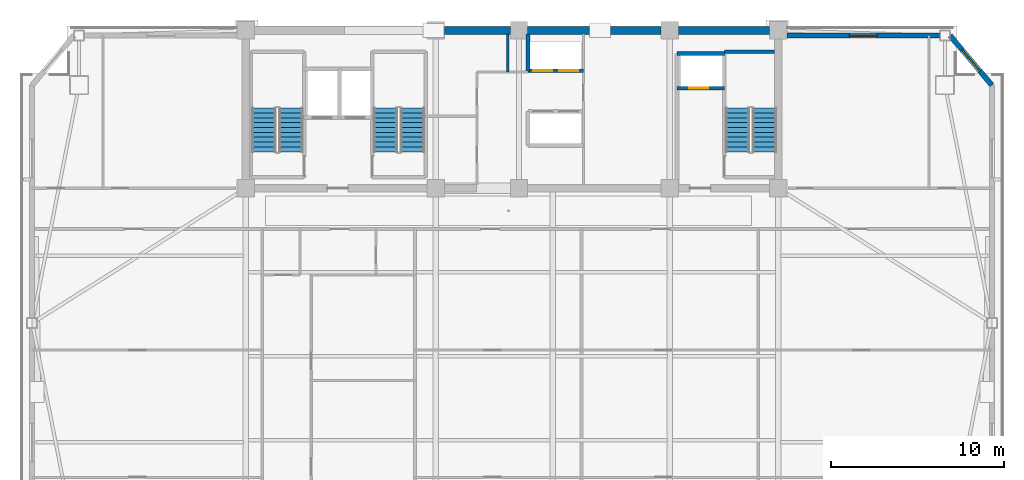
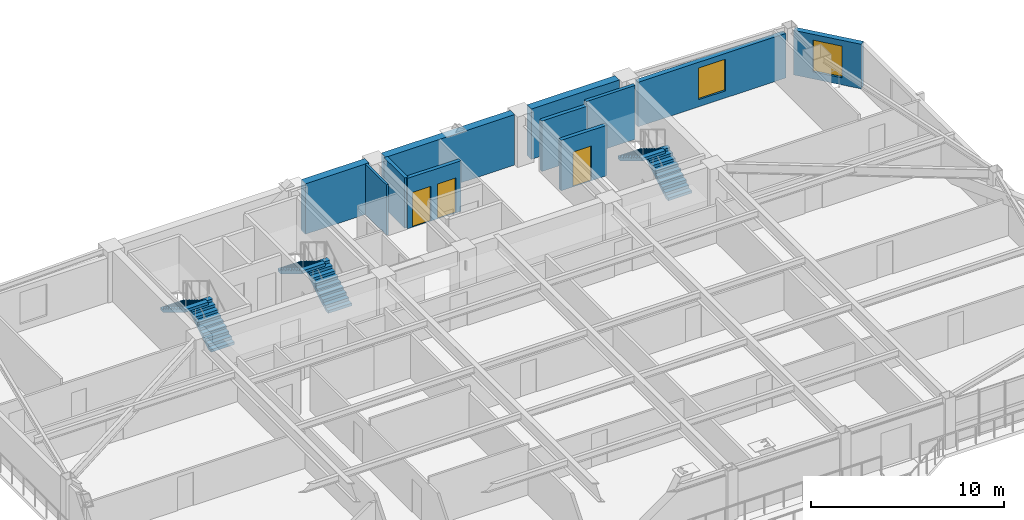
# One storey, part 11 of 16: 11 walls, 6 stair flights, 3 doors, 2 windows, 5 openings, 3 elements without a shape of their own.
"""IFC4 building model written with IfcOpenShell, lengths in metres."""

from ifc_helpers import new_model, si_unit, direction, frame, frame_2d, origin, place, context, subcontext, project, spatial, polyline, rectangle, outline, extrude, source, transform, mapped, material, layer, layer_set, type_object, element, fill, aggregate, save


model = new_model("IFC4")

# Units and contexts
model_context = context("Model", 3, precision=1e-05, world=origin(), true_north=direction((0.0, 1.0)))
body_context = subcontext(model_context, "Body", "Model", "MODEL_VIEW")
ifc_project = project(units=[si_unit("LENGTHUNIT", "METRE"), si_unit("AREAUNIT", "SQUARE_METRE"), si_unit("VOLUMEUNIT", "CUBIC_METRE"), si_unit("PLANEANGLEUNIT", "RADIAN"), si_unit("MASSUNIT", "GRAM", prefix="KILO")], contexts=[model_context])

# Site, building, storey
site_placement = place(None, origin())
site = spatial("IfcSite", under=ifc_project, at=site_placement, CompositionType="ELEMENT")
building_placement = place(site_placement, origin())
building = spatial("IfcBuilding", under=site, at=building_placement, Name="Giltprow Tower", CompositionType="ELEMENT")
storey_placement = place(building_placement, frame((0.0, 0.0, 230.39990234375)))
storey = spatial("IfcBuildingStorey", under=building, at=storey_placement, Name="L58", CompositionType="ELEMENT", Elevation=230.39990234375)

# Wall, opening, window
ifc_material_1 = material(Name="Precast concrete C40", Category="concrete")
ifc_layer_1 = layer(ifc_material_1, 0.300048828125, Name="Precast concrete C40")
ifc_layer_set_1 = layer_set([ifc_layer_1], Name="Precast concrete C40")
wall_type_1 = type_object("IfcWallType", Name="EW-NOTCH-CHAMFER-300", PredefinedType="SOLIDWALL", material=ifc_layer_set_1)
wall_1_placement = place(storey_placement, frame((62.866943359375, 43.39306640625, 0.0), z_axis=(0.0, 0.0, 1.0), x_axis=(-0.644314839722, 0.764760346326, 0.0)))
wall_1 = element("IfcWall", 1, at=wall_1_placement, inside=storey, type_object=wall_type_1, Name="L58 Corner Notch Wall NE", PredefinedType="SOLIDWALL", context=body_context, shape_type="SweptSolid", body=[
    extrude(rectangle(XDim=3.73583984375, YDim=0.300048828125, at=frame_2d((1.867919921875, 0.0))), origin(), (0.0, 0.0, 1.0), 2.815185546875),
])
opening_1_placement = place(wall_1_placement, frame((1.068115234375, 0.0, 0.449951171875)))
opening_1 = element("IfcOpeningElement", 2, at=opening_1_placement, cuts=wall_1, Name="Opening WN17", PredefinedType="OPENING", context=body_context, shape_type="SweptSolid", body=[
    extrude(rectangle(XDim=1.60009765625, YDim=2.0, at=frame_2d((0.800048828125, 1.0))), frame((0.0, 0.159912109375, 0.0), z_axis=(0.0, -1.0, 0.0), x_axis=(1.0, 0.0, 0.0)), (0.0, 0.0, 1.0), 0.320068359375),
])
ifc_material_2 = material(Name="Insulated glass", Category="glass")
window_type = type_object("IfcWindowType", Name="WN-COR-1600x2000", PartitioningType="SINGLE_PANEL", PredefinedType="WINDOW", material=ifc_material_2)
shared_shape_1 = source(origin(), body_context, "Body", "SweptSolid", [
    extrude(rectangle(XDim=1.60009765625, YDim=2.0, at=frame_2d((0.800048828125, 1.0))), frame((0.0, 0.030029296875, 0.0), z_axis=(0.0, -1.0, 0.0), x_axis=(1.0, 0.0, 0.0)), (0.0, 0.0, 1.0), 0.06005859375),
])
window_1_placement = place(opening_1_placement, origin())
window_1 = element("IfcWindow", 3, at=window_1_placement, inside=storey, type_object=window_type, Name="L58 Corner Notch Window NE", OverallHeight=2.0, OverallWidth=1.60009765625, PartitioningType="SINGLE_PANEL", PredefinedType="WINDOW", context=body_context, shape_type="MappedRepresentation", body=[
    mapped(shared_shape_1, transform((0.0, 0.0, 0.0), x_axis=(1.0, 0.0, 0.0), y_axis=(0.0, 1.0, 0.0), z_axis=(0.0, 0.0, 1.0), scale=1.0)),
])
fill(opening_1, window_1)

ifc_layer_2 = layer(ifc_material_1, 0.280029296875, Name="Precast concrete C40")
ifc_layer_set_2 = layer_set([ifc_layer_2], Name="Precast concrete C40")
wall_type_2 = type_object("IfcWallType", Name="EW-TOW-BRONZE-280", PredefinedType="SOLIDWALL", material=ifc_layer_set_2)
wall_2_placement = place(storey_placement, frame((51.050048828125, 46.25, 0.0), z_axis=(0.0, 0.0, 1.0), x_axis=(1.0, 0.0, 0.0)))
wall_2 = element("IfcWall", 4, at=wall_2_placement, inside=storey, type_object=wall_type_2, Name="L58 North-East Wing Wall", PredefinedType="SOLIDWALL", context=body_context, shape_type="SweptSolid", body=[
    extrude(rectangle(XDim=8.81005859375, YDim=0.280029296875, at=frame_2d((4.405029296875, 0.0))), origin(), (0.0, 0.0, 1.0), 2.815185546875),
])
opening_2_placement = place(wall_2_placement, frame((3.60498046875, 0.0, 0.449951171875)))
opening_2 = element("IfcOpeningElement", 5, at=opening_2_placement, cuts=wall_2, Name="Opening WN17", PredefinedType="OPENING", context=body_context, shape_type="SweptSolid", body=[
    extrude(rectangle(XDim=1.60009765625, YDim=2.0, at=frame_2d((0.800048828125, 1.0))), frame((0.0, 0.14990234375, 0.0), z_axis=(0.0, -1.0, 0.0), x_axis=(1.0, 0.0, 0.0)), (0.0, 0.0, 1.0), 0.300048828125),
])
window_2_placement = place(opening_2_placement, origin())
window_2 = element("IfcWindow", 6, at=window_2_placement, inside=storey, type_object=window_type, Name="L58 North-East Window", OverallHeight=2.0, OverallWidth=1.60009765625, PartitioningType="SINGLE_PANEL", PredefinedType="WINDOW", context=body_context, shape_type="MappedRepresentation", body=[
    mapped(shared_shape_1, transform((0.0, 0.0, 0.0), x_axis=(1.0, 0.0, 0.0), y_axis=(0.0, 1.0, 0.0), z_axis=(0.0, 0.0, 1.0), scale=1.0)),
])
fill(opening_2, window_2)

# Wall, opening, door
ifc_material_3 = material(Name="Concrete C40", Category="concrete")
ifc_layer_3 = layer(ifc_material_3, 0.219970703125, Name="Concrete C40")
ifc_layer_set_3 = layer_set([ifc_layer_3], Name="Concrete C40")
wall_type_3 = type_object("IfcWallType", Name="IW-SHAFT-220", PredefinedType="SOLIDWALL", material=ifc_layer_set_3)
wall_3_placement = place(storey_placement, frame((44.719970703125, 43.219970703125, 0.0), z_axis=(0.0, 0.0, 1.0), x_axis=(1.0, 0.0, 0.0)))
wall_3 = element("IfcWall", 7, at=wall_3_placement, inside=storey, type_object=wall_type_3, Name="L58 FFL2 Front Shaft Wall", PredefinedType="SOLIDWALL", context=body_context, shape_type="SweptSolid", body=[
    extrude(rectangle(XDim=2.719970703125, YDim=0.219970703125, at=frame_2d((1.35986328125, 0.0))), origin(), (0.0, 0.0, 1.0), 3.18505859375),
])
opening_3_placement = place(wall_3_placement, frame((0.699951171875, 0.0, 0.0)))
opening_3 = element("IfcOpeningElement", 8, at=opening_3_placement, cuts=wall_3, Name="Opening LD-11", PredefinedType="OPENING", context=body_context, shape_type="SweptSolid", body=[
    extrude(rectangle(XDim=1.10009765625, YDim=2.199951171875, at=frame_2d((0.550048828125, 1.10009765625))), frame((0.0, 0.119873046875, 0.0), z_axis=(0.0, -1.0, 0.0), x_axis=(1.0, 0.0, 0.0)), (0.0, 0.0, 1.0), 0.239990234375),
])
ifc_material_4 = material(Name="Stainless steel", Category="steel")
door_type = type_object("IfcDoorType", Name="DR-LIFT-LD1100", OperationType="SLIDING_TO_LEFT", PredefinedType="DOOR", material=ifc_material_4)
shared_shape_2 = source(origin(), body_context, "Body", "SweptSolid", [
    extrude(rectangle(XDim=1.10009765625, YDim=2.199951171875, at=frame_2d((0.550048828125, 1.10009765625))), frame((0.0, 0.02490234375, 0.0), z_axis=(0.0, -1.0, 0.0), x_axis=(1.0, 0.0, 0.0)), (0.0, 0.0, 1.0), 0.050048828125),
])
door_1_placement = place(opening_3_placement, origin())
door_1 = element("IfcDoor", 9, at=door_1_placement, inside=storey, type_object=door_type, Name="L58 FFL2 Landing Door", OperationType="SLIDING_TO_LEFT", OverallHeight=2.199951171875, OverallWidth=1.10009765625, PredefinedType="DOOR", context=body_context, shape_type="MappedRepresentation", body=[
    mapped(shared_shape_2, transform((0.0, 0.0, 0.0), x_axis=(1.0, 0.0, 0.0), y_axis=(0.0, 1.0, 0.0), z_axis=(0.0, 0.0, 1.0), scale=1.0)),
])
fill(opening_3, door_1)

# Wall
wall_4_placement = place(storey_placement, frame((44.719970703125, 45.219970703125, 0.0), z_axis=(0.0, 0.0, 1.0), x_axis=(1.0, 0.0, 0.0)))
element("IfcWall", 10, at=wall_4_placement, inside=storey, type_object=wall_type_3, Name="L58 FFL2 Back Shaft Wall", PredefinedType="SOLIDWALL", context=body_context, shape_type="SweptSolid", body=[
    extrude(rectangle(XDim=2.719970703125, YDim=0.219970703125, at=frame_2d((1.35986328125, 0.0))), origin(), (0.0, 0.0, 1.0), 3.18505859375),
])

# Wall, openings, doors
wall_5_placement = place(storey_placement, frame((36.1201171875, 44.219970703125, 0.0), z_axis=(0.0, 0.0, 1.0), x_axis=(1.0, 0.0, 0.0)))
wall_5 = element("IfcWall", 11, at=wall_5_placement, inside=storey, type_object=wall_type_3, Name="L58 High-Rise Lift Shaft Front Wall N", PredefinedType="SOLIDWALL", context=body_context, shape_type="SweptSolid", body=[
    extrude(rectangle(XDim=3.199951171875, YDim=0.219970703125, at=frame_2d((1.60009765625, 0.0))), origin(), (0.0, 0.0, 1.0), 3.18505859375),
])
opening_4_placement = place(wall_5_placement, frame((0.300048828125, 0.0, 0.0)))
opening_4 = element("IfcOpeningElement", 12, at=opening_4_placement, cuts=wall_5, Name="Opening LD-11", PredefinedType="OPENING", context=body_context, shape_type="SweptSolid", body=[
    extrude(rectangle(XDim=1.10009765625, YDim=2.199951171875, at=frame_2d((0.550048828125, 1.10009765625))), frame((0.0, 0.119873046875, 0.0), z_axis=(0.0, -1.0, 0.0), x_axis=(1.0, 0.0, 0.0)), (0.0, 0.0, 1.0), 0.239990234375),
])
opening_5_placement = place(wall_5_placement, frame((1.7900390625, 0.0, 0.0)))
opening_5 = element("IfcOpeningElement", 13, at=opening_5_placement, cuts=wall_5, Name="Opening LD-11", PredefinedType="OPENING", context=body_context, shape_type="SweptSolid", body=[
    extrude(rectangle(XDim=1.10009765625, YDim=2.199951171875, at=frame_2d((0.550048828125, 1.10009765625))), frame((0.0, 0.119873046875, 0.0), z_axis=(0.0, -1.0, 0.0), x_axis=(1.0, 0.0, 0.0)), (0.0, 0.0, 1.0), 0.239990234375),
])
door_2_placement = place(opening_4_placement, origin())
door_2 = element("IfcDoor", 14, at=door_2_placement, inside=storey, type_object=door_type, Name="L58 PL-H1 Landing Door", OperationType="SLIDING_TO_LEFT", OverallHeight=2.199951171875, OverallWidth=1.10009765625, PredefinedType="DOOR", context=body_context, shape_type="MappedRepresentation", body=[
    mapped(shared_shape_2, transform((0.0, 0.0, 0.0), x_axis=(1.0, 0.0, 0.0), y_axis=(0.0, 1.0, 0.0), z_axis=(0.0, 0.0, 1.0), scale=1.0)),
])
fill(opening_4, door_2)
door_3_placement = place(opening_5_placement, origin())
door_3 = element("IfcDoor", 15, at=door_3_placement, inside=storey, type_object=door_type, Name="L58 PL-H2 Landing Door", OperationType="SLIDING_TO_LEFT", OverallHeight=2.199951171875, OverallWidth=1.10009765625, PredefinedType="DOOR", context=body_context, shape_type="MappedRepresentation", body=[
    mapped(shared_shape_2, transform((0.0, 0.0, 0.0), x_axis=(1.0, 0.0, 0.0), y_axis=(0.0, 1.0, 0.0), z_axis=(0.0, 0.0, 1.0), scale=1.0)),
])
fill(opening_5, door_3)

# Walls
wall_6_placement = place(storey_placement, frame((36.1201171875, 44.219970703125, 0.0), z_axis=(0.0, 0.0, 1.0), x_axis=(0.0, 1.0, 0.0)))
element("IfcWall", 16, at=wall_6_placement, inside=storey, type_object=wall_type_3, Name="L58 High-Rise North Lift West Closure", PredefinedType="SOLIDWALL", context=body_context, shape_type="SweptSolid", body=[
    extrude(rectangle(XDim=2.125, YDim=0.219970703125, at=frame_2d((1.0625, 0.0))), origin(), (0.0, 0.0, 1.0), 3.18505859375),
])
ifc_layer_4 = layer(ifc_material_3, 0.199951171875, Name="Concrete C40")
ifc_layer_set_4 = layer_set([ifc_layer_4], Name="Concrete C40")
wall_type_4 = type_object("IfcWallType", Name="IW-STAIR-200", PredefinedType="SOLIDWALL", material=ifc_layer_set_4)
wall_7_placement = place(storey_placement, frame((47.43994140625, 45.320068359375, 0.0), z_axis=(0.0, 0.0, 1.0), x_axis=(1.0, 0.0, 0.0)))
element("IfcWall", 17, at=wall_7_placement, inside=storey, type_object=wall_type_4, Name="L58 Stair ST-3 North Bearing Wall", PredefinedType="SOLIDWALL", context=body_context, shape_type="SweptSolid", body=[
    extrude(rectangle(XDim=2.905029296875, YDim=0.199951171875, at=frame_2d((1.45263671875, 0.0))), origin(), (0.0, 0.0, 1.0), 3.400146484375),
])
ifc_material_5 = material(Name="Concrete C30", Category="concrete")
ifc_layer_5 = layer(ifc_material_5, 0.1298828125, Name="Concrete C30")
ifc_layer_set_5 = layer_set([ifc_layer_5], Name="Concrete C30")
wall_type_5 = type_object("IfcWallType", Name="IW-WET-130", PredefinedType="PARTITIONING", material=ifc_layer_set_5)
wall_8_placement = place(storey_placement, frame((34.949951171875, 44.14990234375, 0.0), z_axis=(0.0, 0.0, 1.0), x_axis=(0.0, 1.0, 0.0)))
element("IfcWall", 18, at=wall_8_placement, inside=storey, type_object=wall_type_5, Name="L58 Reclaimed West Pocket Wall E", PredefinedType="PARTITIONING", context=body_context, shape_type="SweptSolid", body=[
    extrude(rectangle(XDim=2.195068359375, YDim=0.1298828125, at=frame_2d((1.09765625, 0.0))), origin(), (0.0, 0.0, 1.0), 3.18505859375),
])
ifc_material_6 = material(Name="Concrete C50", Category="concrete")
ifc_layer_6 = layer(ifc_material_6, 0.449951171875, Name="Concrete C50")
ifc_layer_set_6 = layer_set([ifc_layer_6], Name="Concrete C50")
wall_type_6 = type_object("IfcWallType", Name="SW-EXT-450-C50", PredefinedType="SHEAR", material=ifc_layer_set_6)
wall_9_placement = place(storey_placement, frame((31.300048828125, 46.550048828125, 0.0), z_axis=(0.0, 0.0, 1.0), x_axis=(1.0, 0.0, 0.0)))
element("IfcWall", 19, at=wall_9_placement, inside=storey, type_object=wall_type_6, Name="L58 North Rear Core Shear Wall 2", PredefinedType="SHEAR", context=body_context, shape_type="SweptSolid", body=[
    extrude(rectangle(XDim=3.800048828125, YDim=0.449951171875, at=frame_2d((1.89990234375, 0.0))), origin(), (0.0, 0.0, 1.0), 3.18505859375),
])
wall_10_placement = place(storey_placement, frame((36.10009765625, 46.550048828125, 0.0), z_axis=(0.0, 0.0, 1.0), x_axis=(1.0, 0.0, 0.0)))
element("IfcWall", 20, at=wall_10_placement, inside=storey, type_object=wall_type_6, Name="L58 North Rear Core Shear Wall 3", PredefinedType="SHEAR", context=body_context, shape_type="SweptSolid", body=[
    extrude(rectangle(XDim=7.699951171875, YDim=0.449951171875, at=frame_2d((3.85009765625, 0.0))), origin(), (0.0, 0.0, 1.0), 3.18505859375),
])
wall_11_placement = place(storey_placement, frame((44.800048828125, 46.550048828125, 0.0), z_axis=(0.0, 0.0, 1.0), x_axis=(1.0, 0.0, 0.0)))
element("IfcWall", 21, at=wall_11_placement, inside=storey, type_object=wall_type_6, Name="L58 North Rear Core Shear Wall 4", PredefinedType="SHEAR", context=body_context, shape_type="SweptSolid", body=[
    extrude(rectangle(XDim=5.25, YDim=0.449951171875, at=frame_2d((2.625, 0.0))), origin(), (0.0, 0.0, 1.0), 3.18505859375),
])

# Stair, stair flights
stair_type_1 = type_object("IfcStairType", Name="STR-ST-1", PredefinedType="HALF_TURN_STAIR", material=ifc_material_3)
stair_1_placement = place(storey_placement, origin())
stair_1 = element("IfcStair", 22, at=stair_1_placement, inside=storey, type_object=stair_type_1, Name="L58 Core Exit Stair ST-1", PredefinedType="HALF_TURN_STAIR")
stair_flight_type_1 = type_object("IfcStairFlightType", Name="SFL-ST-1", PredefinedType="STRAIGHT", material=ifc_material_3)
stair_flight_1_placement = place(storey_placement, frame((22.4599609375, 39.550048828125, 0.0), z_axis=(0.0, 0.0, 1.0), x_axis=(0.0, 1.0, 0.0)))
stair_flight_1 = element("IfcStairFlight", 23, at=stair_flight_1_placement, type_object=stair_flight_type_1, Name="ST-1 flight 1", NumberOfRisers=10, NumberOfTreads=9, PredefinedType="STRAIGHT", RiserHeight=0.17, TreadLength=0.28, context=body_context, shape_type="SweptSolid", body=[
    extrude(outline(polyline([(0.0, 0.0), (0.0, 0.169921875), (0.280029296875, 0.169921875), (0.280029296875, 0.340087890625), (0.56005859375, 0.340087890625), (0.56005859375, 0.510009765625), (0.840087890625, 0.510009765625), (0.840087890625, 0.679931640625), (1.1201171875, 0.679931640625), (1.1201171875, 0.85009765625), (1.39990234375, 0.85009765625), (1.39990234375, 1.02001953125), (1.679931640625, 1.02001953125), (1.679931640625, 1.18994140625), (1.9599609375, 1.18994140625), (1.9599609375, 1.360107421875), (2.239990234375, 1.360107421875), (2.239990234375, 1.530029296875), (2.52001953125, 1.530029296875), (2.52001953125, 1.699951171875), (2.52001953125, 1.354736328125), (0.288818359375, 0.0), (0.0, 0.0)])), frame((0.0, 0.699951171875, 0.0), z_axis=(0.0, -1.0, 0.0), x_axis=(1.0, 0.0, 0.0)), (0.0, 0.0, 1.0), 1.39990234375),
])
stair_flight_2_placement = place(storey_placement, frame((20.89990234375, 42.070068359375, 1.7001953125), z_axis=(0.0, 0.0, 1.0), x_axis=(0.0, -1.0, 0.0)))
stair_flight_2 = element("IfcStairFlight", 24, at=stair_flight_2_placement, type_object=stair_flight_type_1, Name="ST-1 flight 2", NumberOfRisers=10, NumberOfTreads=9, PredefinedType="STRAIGHT", RiserHeight=0.17, TreadLength=0.28, context=body_context, shape_type="SweptSolid", body=[
    extrude(outline(polyline([(0.0, 0.0), (0.0, 0.169921875), (0.280029296875, 0.169921875), (0.280029296875, 0.340087890625), (0.56005859375, 0.340087890625), (0.56005859375, 0.510009765625), (0.840087890625, 0.510009765625), (0.840087890625, 0.679931640625), (1.1201171875, 0.679931640625), (1.1201171875, 0.85009765625), (1.39990234375, 0.85009765625), (1.39990234375, 1.02001953125), (1.679931640625, 1.02001953125), (1.679931640625, 1.18994140625), (1.9599609375, 1.18994140625), (1.9599609375, 1.360107421875), (2.239990234375, 1.360107421875), (2.239990234375, 1.530029296875), (2.52001953125, 1.530029296875), (2.52001953125, 1.699951171875), (2.52001953125, 1.354736328125), (0.288818359375, 0.0), (0.0, 0.0)])), frame((0.0, 0.699951171875, 0.0), z_axis=(0.0, -1.0, 0.0), x_axis=(1.0, 0.0, 0.0)), (0.0, 0.0, 1.0), 1.39990234375),
])
aggregate(stair_1, [stair_flight_1, stair_flight_2])

stair_type_2 = type_object("IfcStairType", Name="STR-ST-2", PredefinedType="HALF_TURN_STAIR", material=ifc_material_3)
stair_2_placement = place(storey_placement, origin())
stair_2 = element("IfcStair", 25, at=stair_2_placement, inside=storey, type_object=stair_type_2, Name="L58 Core Exit Stair ST-2", PredefinedType="HALF_TURN_STAIR")
stair_flight_type_2 = type_object("IfcStairFlightType", Name="SFL-ST-2", PredefinedType="STRAIGHT", material=ifc_material_3)
stair_flight_3_placement = place(storey_placement, frame((29.4599609375, 39.550048828125, 0.0), z_axis=(0.0, 0.0, 1.0), x_axis=(0.0, 1.0, 0.0)))
stair_flight_3 = element("IfcStairFlight", 26, at=stair_flight_3_placement, type_object=stair_flight_type_2, Name="ST-2 flight 1", NumberOfRisers=10, NumberOfTreads=9, PredefinedType="STRAIGHT", RiserHeight=0.17, TreadLength=0.28, context=body_context, shape_type="SweptSolid", body=[
    extrude(outline(polyline([(0.0, 0.0), (0.0, 0.169921875), (0.280029296875, 0.169921875), (0.280029296875, 0.340087890625), (0.56005859375, 0.340087890625), (0.56005859375, 0.510009765625), (0.840087890625, 0.510009765625), (0.840087890625, 0.679931640625), (1.1201171875, 0.679931640625), (1.1201171875, 0.85009765625), (1.39990234375, 0.85009765625), (1.39990234375, 1.02001953125), (1.679931640625, 1.02001953125), (1.679931640625, 1.18994140625), (1.9599609375, 1.18994140625), (1.9599609375, 1.360107421875), (2.239990234375, 1.360107421875), (2.239990234375, 1.530029296875), (2.52001953125, 1.530029296875), (2.52001953125, 1.699951171875), (2.52001953125, 1.354736328125), (0.288818359375, 0.0), (0.0, 0.0)])), frame((0.0, 0.699951171875, 0.0), z_axis=(0.0, -1.0, 0.0), x_axis=(1.0, 0.0, 0.0)), (0.0, 0.0, 1.0), 1.39990234375),
])
stair_flight_4_placement = place(storey_placement, frame((27.89990234375, 42.070068359375, 1.7001953125), z_axis=(0.0, 0.0, 1.0), x_axis=(0.0, -1.0, 0.0)))
stair_flight_4 = element("IfcStairFlight", 27, at=stair_flight_4_placement, type_object=stair_flight_type_2, Name="ST-2 flight 2", NumberOfRisers=10, NumberOfTreads=9, PredefinedType="STRAIGHT", RiserHeight=0.17, TreadLength=0.28, context=body_context, shape_type="SweptSolid", body=[
    extrude(outline(polyline([(0.0, 0.0), (0.0, 0.169921875), (0.280029296875, 0.169921875), (0.280029296875, 0.340087890625), (0.56005859375, 0.340087890625), (0.56005859375, 0.510009765625), (0.840087890625, 0.510009765625), (0.840087890625, 0.679931640625), (1.1201171875, 0.679931640625), (1.1201171875, 0.85009765625), (1.39990234375, 0.85009765625), (1.39990234375, 1.02001953125), (1.679931640625, 1.02001953125), (1.679931640625, 1.18994140625), (1.9599609375, 1.18994140625), (1.9599609375, 1.360107421875), (2.239990234375, 1.360107421875), (2.239990234375, 1.530029296875), (2.52001953125, 1.530029296875), (2.52001953125, 1.699951171875), (2.52001953125, 1.354736328125), (0.288818359375, 0.0), (0.0, 0.0)])), frame((0.0, 0.699951171875, 0.0), z_axis=(0.0, -1.0, 0.0), x_axis=(1.0, 0.0, 0.0)), (0.0, 0.0, 1.0), 1.39990234375),
])
aggregate(stair_2, [stair_flight_3, stair_flight_4])

stair_type_3 = type_object("IfcStairType", Name="STR-ST-3", PredefinedType="HALF_TURN_STAIR", material=ifc_material_3)
stair_3_placement = place(storey_placement, origin())
stair_3 = element("IfcStair", 28, at=stair_3_placement, inside=storey, type_object=stair_type_3, Name="L58 Core Exit Stair ST-3", PredefinedType="HALF_TURN_STAIR")
stair_flight_type_3 = type_object("IfcStairFlightType", Name="SFL-ST-3", PredefinedType="STRAIGHT", material=ifc_material_3)
stair_flight_5_placement = place(storey_placement, frame((49.760009765625, 39.550048828125, 0.0), z_axis=(0.0, 0.0, 1.0), x_axis=(0.0, 1.0, 0.0)))
stair_flight_5 = element("IfcStairFlight", 29, at=stair_flight_5_placement, type_object=stair_flight_type_3, Name="ST-3 flight 1", NumberOfRisers=10, NumberOfTreads=9, PredefinedType="STRAIGHT", RiserHeight=0.17, TreadLength=0.28, context=body_context, shape_type="SweptSolid", body=[
    extrude(outline(polyline([(0.0, 0.0), (0.0, 0.169921875), (0.280029296875, 0.169921875), (0.280029296875, 0.340087890625), (0.56005859375, 0.340087890625), (0.56005859375, 0.510009765625), (0.840087890625, 0.510009765625), (0.840087890625, 0.679931640625), (1.1201171875, 0.679931640625), (1.1201171875, 0.85009765625), (1.39990234375, 0.85009765625), (1.39990234375, 1.02001953125), (1.679931640625, 1.02001953125), (1.679931640625, 1.18994140625), (1.9599609375, 1.18994140625), (1.9599609375, 1.360107421875), (2.239990234375, 1.360107421875), (2.239990234375, 1.530029296875), (2.52001953125, 1.530029296875), (2.52001953125, 1.699951171875), (2.52001953125, 1.354736328125), (0.288818359375, 0.0), (0.0, 0.0)])), frame((0.0, 0.699951171875, 0.0), z_axis=(0.0, -1.0, 0.0), x_axis=(1.0, 0.0, 0.0)), (0.0, 0.0, 1.0), 1.39990234375),
])
stair_flight_6_placement = place(storey_placement, frame((48.199951171875, 42.070068359375, 1.7001953125), z_axis=(0.0, 0.0, 1.0), x_axis=(0.0, -1.0, 0.0)))
stair_flight_6 = element("IfcStairFlight", 30, at=stair_flight_6_placement, type_object=stair_flight_type_3, Name="ST-3 flight 2", NumberOfRisers=10, NumberOfTreads=9, PredefinedType="STRAIGHT", RiserHeight=0.17, TreadLength=0.28, context=body_context, shape_type="SweptSolid", body=[
    extrude(outline(polyline([(0.0, 0.0), (0.0, 0.169921875), (0.280029296875, 0.169921875), (0.280029296875, 0.340087890625), (0.56005859375, 0.340087890625), (0.56005859375, 0.510009765625), (0.840087890625, 0.510009765625), (0.840087890625, 0.679931640625), (1.1201171875, 0.679931640625), (1.1201171875, 0.85009765625), (1.39990234375, 0.85009765625), (1.39990234375, 1.02001953125), (1.679931640625, 1.02001953125), (1.679931640625, 1.18994140625), (1.9599609375, 1.18994140625), (1.9599609375, 1.360107421875), (2.239990234375, 1.360107421875), (2.239990234375, 1.530029296875), (2.52001953125, 1.530029296875), (2.52001953125, 1.699951171875), (2.52001953125, 1.354736328125), (0.288818359375, 0.0), (0.0, 0.0)])), frame((0.0, 0.699951171875, 0.0), z_axis=(0.0, -1.0, 0.0), x_axis=(1.0, 0.0, 0.0)), (0.0, 0.0, 1.0), 1.39990234375),
])
aggregate(stair_3, [stair_flight_5, stair_flight_6])

save(model, "model.ifc")
